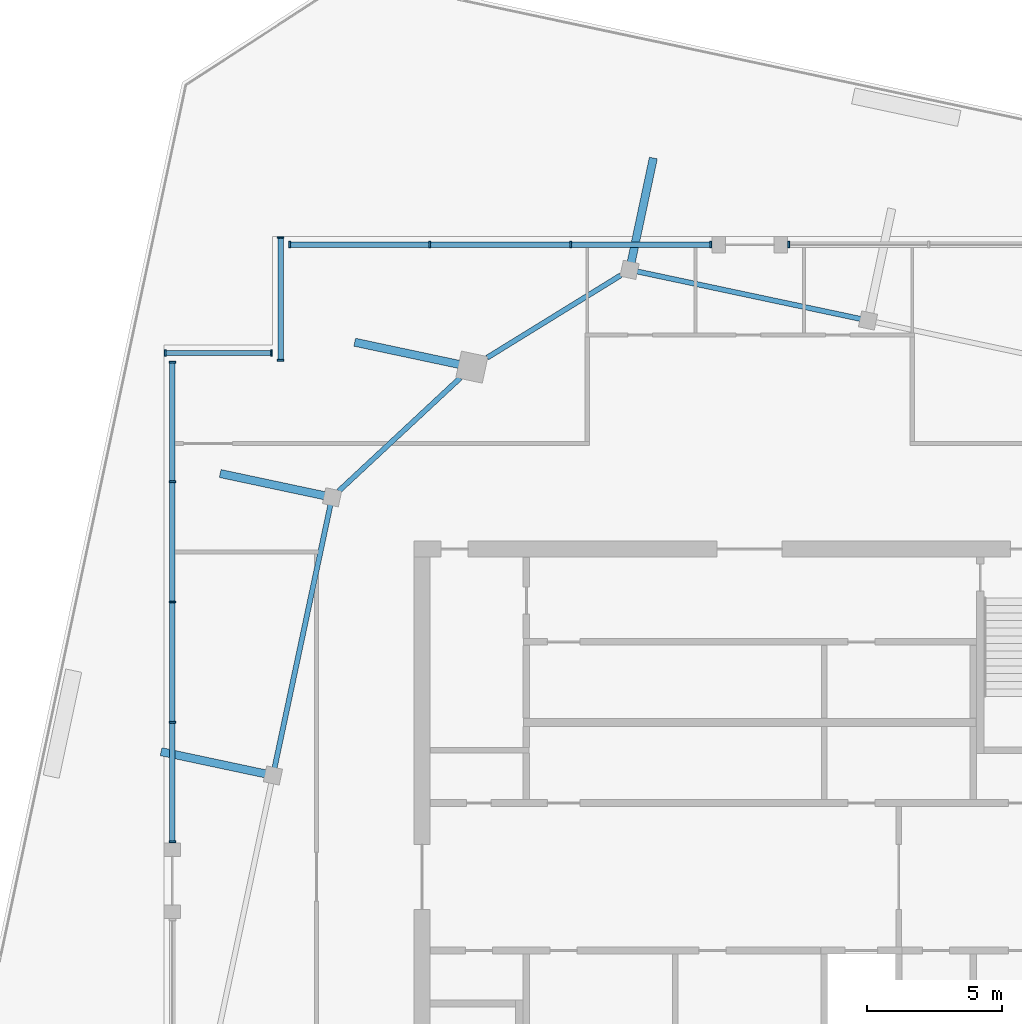
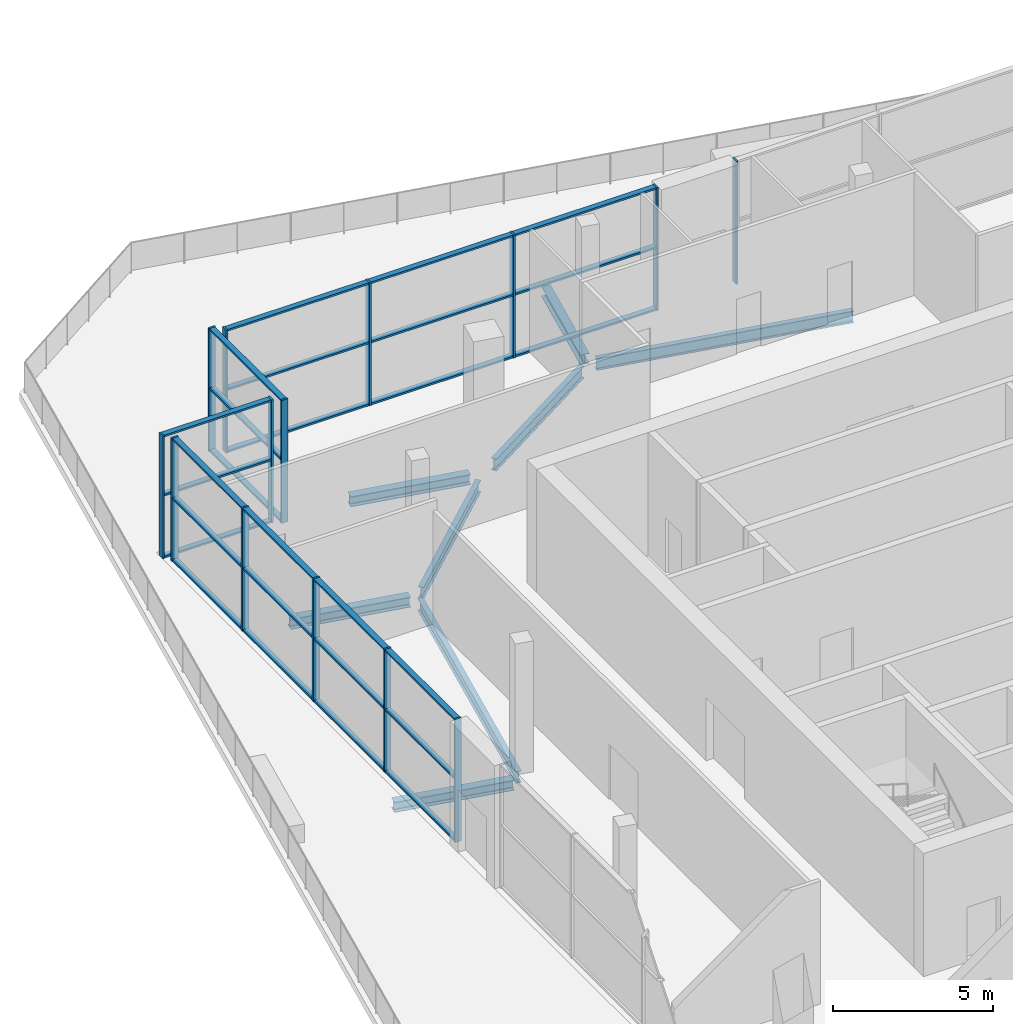
# One storey, part 4 of 14: 41 members, 8 beams, 5 elements without a shape of their own.
"""IFC4 building model written with IfcOpenShell, lengths in metres."""

from ifc_helpers import new_model, si_unit, direction, frame, origin, origin_2d, place, context, subcontext, project, spatial, rectangle, i_section, extrude, material, material_profile, profile_set, type_object, element, aggregate, save


model = new_model("IFC4")

# Units and contexts
model_context = context("Model", 3, precision=1e-05, world=origin(), true_north=direction((0.0, 1.0)))
body_context = subcontext(model_context, "Body", "Model", "MODEL_VIEW")
ifc_project = project(units=[si_unit("LENGTHUNIT", "METRE"), si_unit("AREAUNIT", "SQUARE_METRE"), si_unit("VOLUMEUNIT", "CUBIC_METRE"), si_unit("PLANEANGLEUNIT", "RADIAN"), si_unit("MASSUNIT", "GRAM", prefix="KILO")], contexts=[model_context])

# Site, building, storey
site_placement = place(None, origin())
site = spatial("IfcSite", under=ifc_project, at=site_placement, CompositionType="ELEMENT")
building_placement = place(site_placement, origin())
building = spatial("IfcBuilding", under=site, at=building_placement, Name="Dilmun Exchange Tower", CompositionType="ELEMENT")
storey_placement = place(building_placement, frame((0.0, 0.0, 368.10009765625)))
storey = spatial("IfcBuildingStorey", under=building, at=storey_placement, Name="Crown L86", CompositionType="ELEMENT", Elevation=368.10009765625)

# Curtain wall, member
ifc_material_1 = material(Name="Anodised aluminium and clear glass", Category="aluminium")
curtain_wall_type = type_object("IfcCurtainWallType", Name="Observation lounge glazing", PredefinedType="NOTDEFINED", material=ifc_material_1)
curtain_wall_1_placement = place(storey_placement, origin())
curtain_wall_1 = element("IfcCurtainWall", 1, at=curtain_wall_1_placement, inside=storey, type_object=curtain_wall_type, Name="Observation lounge glazing run OL3.1", PredefinedType="NOTDEFINED")
ifc_material_2 = material(Name="Anodised aluminium", Category="aluminium")
ifc_material_profile_1 = material_profile(ifc_material_2, rectangle(XDim=0.239990234375, YDim=0.070068359375, at=origin_2d()), Name="AL 70x240")
ifc_profile_set_1 = profile_set([ifc_material_profile_1], Name="Anodised aluminium")
member_type_1 = type_object("IfcMemberType", Name="Observation lounge glazing mullion 70 x 240", PredefinedType="MULLION", material=ifc_profile_set_1)
member_1_placement = place(storey_placement, frame((1.43505859375, 23.340087890625, 0.0), z_axis=(0.0, 0.0, 1.0), x_axis=(0.0, -1.0, 0.0)))
member_1 = element("IfcMember", 2, at=member_1_placement, type_object=member_type_1, Name="OL3.1 mullion 4", PredefinedType="MULLION", context=body_context, shape_type="SweptSolid", body=[
    extrude(rectangle(XDim=0.239990234375, YDim=0.070068359375, at=origin_2d()), origin(), (0.0, 0.0, 1.0), 4.699951171875),
])
aggregate(curtain_wall_1, [member_1])

# Curtain wall, members
curtain_wall_2_placement = place(storey_placement, origin())
curtain_wall_2 = element("IfcCurtainWall", 3, at=curtain_wall_2_placement, inside=storey, type_object=curtain_wall_type, Name="Observation lounge glazing run OL3.E", PredefinedType="NOTDEFINED")
member_2_placement = place(storey_placement, frame((-1.43505859375, 23.340087890625, 0.0), z_axis=(0.0, 0.0, 1.0), x_axis=(0.0, -1.0, 0.0)))
member_2 = element("IfcMember", 4, at=member_2_placement, type_object=member_type_1, Name="OL3.E mullion 1", PredefinedType="MULLION", context=body_context, shape_type="SweptSolid", body=[
    extrude(rectangle(XDim=0.239990234375, YDim=0.070068359375, at=origin_2d()), origin(), (0.0, 0.0, 1.0), 4.699951171875),
])
member_3_placement = place(storey_placement, frame((-6.60791015625, 23.340087890625, 0.0), z_axis=(0.0, 0.0, 1.0), x_axis=(0.0, -1.0, 0.0)))
member_3 = element("IfcMember", 5, at=member_3_placement, type_object=member_type_1, Name="OL3.E mullion 2", PredefinedType="MULLION", context=body_context, shape_type="SweptSolid", body=[
    extrude(rectangle(XDim=0.239990234375, YDim=0.070068359375, at=origin_2d()), origin(), (0.0, 0.0, 1.0), 4.699951171875),
])
member_4_placement = place(storey_placement, frame((-11.815673828125, 23.340087890625, 0.0), z_axis=(0.0, 0.0, 1.0), x_axis=(0.0, -1.0, 0.0)))
member_4 = element("IfcMember", 6, at=member_4_placement, type_object=member_type_1, Name="OL3.E mullion 3", PredefinedType="MULLION", context=body_context, shape_type="SweptSolid", body=[
    extrude(rectangle(XDim=0.239990234375, YDim=0.070068359375, at=origin_2d()), origin(), (0.0, 0.0, 1.0), 4.699951171875),
])
member_5_placement = place(storey_placement, frame((-16.988525390625, 23.340087890625, 0.0), z_axis=(0.0, 0.0, 1.0), x_axis=(0.0, -1.0, 0.0)))
member_5 = element("IfcMember", 7, at=member_5_placement, type_object=member_type_1, Name="OL3.E mullion 4", PredefinedType="MULLION", context=body_context, shape_type="SweptSolid", body=[
    extrude(rectangle(XDim=0.239990234375, YDim=0.070068359375, at=origin_2d()), origin(), (0.0, 0.0, 1.0), 4.699951171875),
])

curtain_wall_3_placement = place(storey_placement, origin())
curtain_wall_3 = element("IfcCurtainWall", 8, at=curtain_wall_3_placement, inside=storey, type_object=curtain_wall_type, Name="Observation lounge glazing run OL4", PredefinedType="NOTDEFINED")
member_6_placement = place(storey_placement, frame((-17.323486328125, 23.605224609375, 0.0), z_axis=(0.0, 0.0, 1.0), x_axis=(1.0, 0.0, 0.0)))
member_6 = element("IfcMember", 9, at=member_6_placement, type_object=member_type_1, Name="OL4 mullion 1", PredefinedType="MULLION", context=body_context, shape_type="SweptSolid", body=[
    extrude(rectangle(XDim=0.239990234375, YDim=0.070068359375, at=origin_2d()), origin(), (0.0, 0.0, 1.0), 4.699951171875),
])
member_7_placement = place(storey_placement, frame((-17.323486328125, 19.0751953125, 0.0), z_axis=(0.0, 0.0, 1.0), x_axis=(1.0, 0.0, 0.0)))
member_7 = element("IfcMember", 10, at=member_7_placement, type_object=member_type_1, Name="OL4 mullion 2", PredefinedType="MULLION", context=body_context, shape_type="SweptSolid", body=[
    extrude(rectangle(XDim=0.239990234375, YDim=0.070068359375, at=origin_2d()), origin(), (0.0, 0.0, 1.0), 4.699951171875),
])

curtain_wall_4_placement = place(storey_placement, origin())
curtain_wall_4 = element("IfcCurtainWall", 11, at=curtain_wall_4_placement, inside=storey, type_object=curtain_wall_type, Name="Observation lounge glazing run OL5", PredefinedType="NOTDEFINED")
member_8_placement = place(storey_placement, frame((-17.658447265625, 19.340087890625, 0.0), z_axis=(0.0, 0.0, 1.0), x_axis=(0.0, -1.0, 0.0)))
member_8 = element("IfcMember", 12, at=member_8_placement, type_object=member_type_1, Name="OL5 mullion 1", PredefinedType="MULLION", context=body_context, shape_type="SweptSolid", body=[
    extrude(rectangle(XDim=0.239990234375, YDim=0.070068359375, at=origin_2d()), origin(), (0.0, 0.0, 1.0), 4.699951171875),
])
member_9_placement = place(storey_placement, frame((-21.58837890625, 19.340087890625, 0.0), z_axis=(0.0, 0.0, 1.0), x_axis=(0.0, -1.0, 0.0)))
member_9 = element("IfcMember", 13, at=member_9_placement, type_object=member_type_1, Name="OL5 mullion 2", PredefinedType="MULLION", context=body_context, shape_type="SweptSolid", body=[
    extrude(rectangle(XDim=0.239990234375, YDim=0.070068359375, at=origin_2d()), origin(), (0.0, 0.0, 1.0), 4.699951171875),
])

curtain_wall_5_placement = place(storey_placement, origin())
curtain_wall_5 = element("IfcCurtainWall", 14, at=curtain_wall_5_placement, inside=storey, type_object=curtain_wall_type, Name="Observation lounge glazing run OL6.1", PredefinedType="NOTDEFINED")
member_10_placement = place(storey_placement, frame((-21.323486328125, 19.005126953125, 0.0), z_axis=(0.0, 0.0, 1.0), x_axis=(1.0, 0.0, 0.0)))
member_10 = element("IfcMember", 15, at=member_10_placement, type_object=member_type_1, Name="OL6.1 mullion 1", PredefinedType="MULLION", context=body_context, shape_type="SweptSolid", body=[
    extrude(rectangle(XDim=0.239990234375, YDim=0.070068359375, at=origin_2d()), origin(), (0.0, 0.0, 1.0), 4.699951171875),
])
member_11_placement = place(storey_placement, frame((-21.323486328125, 14.593505859375, 0.0), z_axis=(0.0, 0.0, 1.0), x_axis=(1.0, 0.0, 0.0)))
member_11 = element("IfcMember", 16, at=member_11_placement, type_object=member_type_1, Name="OL6.1 mullion 2", PredefinedType="MULLION", context=body_context, shape_type="SweptSolid", body=[
    extrude(rectangle(XDim=0.239990234375, YDim=0.070068359375, at=origin_2d()), origin(), (0.0, 0.0, 1.0), 4.699951171875),
])
member_12_placement = place(storey_placement, frame((-21.323486328125, 10.146484375, 0.0), z_axis=(0.0, 0.0, 1.0), x_axis=(1.0, 0.0, 0.0)))
member_12 = element("IfcMember", 17, at=member_12_placement, type_object=member_type_1, Name="OL6.1 mullion 3", PredefinedType="MULLION", context=body_context, shape_type="SweptSolid", body=[
    extrude(rectangle(XDim=0.239990234375, YDim=0.070068359375, at=origin_2d()), origin(), (0.0, 0.0, 1.0), 4.699951171875),
])
member_13_placement = place(storey_placement, frame((-21.323486328125, 5.69970703125, 0.0), z_axis=(0.0, 0.0, 1.0), x_axis=(1.0, 0.0, 0.0)))
member_13 = element("IfcMember", 18, at=member_13_placement, type_object=member_type_1, Name="OL6.1 mullion 4", PredefinedType="MULLION", context=body_context, shape_type="SweptSolid", body=[
    extrude(rectangle(XDim=0.239990234375, YDim=0.070068359375, at=origin_2d()), origin(), (0.0, 0.0, 1.0), 4.699951171875),
])
member_14_placement = place(storey_placement, frame((-21.323486328125, 1.2880859375, 0.0), z_axis=(0.0, 0.0, 1.0), x_axis=(1.0, 0.0, 0.0)))
member_14 = element("IfcMember", 19, at=member_14_placement, type_object=member_type_1, Name="OL6.1 mullion 5", PredefinedType="MULLION", context=body_context, shape_type="SweptSolid", body=[
    extrude(rectangle(XDim=0.239990234375, YDim=0.070068359375, at=origin_2d()), origin(), (0.0, 0.0, 1.0), 4.699951171875),
])

# Member
ifc_material_profile_2 = material_profile(ifc_material_2, rectangle(XDim=0.199951171875, YDim=0.070068359375, at=origin_2d()), Name="AL 70x200")
ifc_profile_set_2 = profile_set([ifc_material_profile_2], Name="Anodised aluminium")
member_type_2 = type_object("IfcMemberType", Name="Observation lounge glazing transom 70 x 200", PredefinedType="USERDEFINED", material=ifc_profile_set_2)
member_15_placement = place(storey_placement, frame((-1.469970703125, 23.340087890625, 0.034912109375), z_axis=(-1.0, 0.0, 0.0), x_axis=(0.0, -1.0, 0.0)))
member_15 = element("IfcMember", 20, at=member_15_placement, type_object=member_type_2, Name="OL3.E transom 1.1", ObjectType="TRANSOM", PredefinedType="USERDEFINED", context=body_context, shape_type="SweptSolid", body=[
    extrude(rectangle(XDim=0.199951171875, YDim=0.070068359375, at=origin_2d()), origin(), (0.0, 0.0, 1.0), 5.102783203125),
])

member_16_placement = place(storey_placement, frame((-1.469970703125, 23.340087890625, 2.39990234375), z_axis=(-1.0, 0.0, 0.0), x_axis=(0.0, -1.0, 0.0)))
member_16 = element("IfcMember", 21, at=member_16_placement, type_object=member_type_2, Name="OL3.E transom 1.2", ObjectType="TRANSOM", PredefinedType="USERDEFINED", context=body_context, shape_type="SweptSolid", body=[
    extrude(rectangle(XDim=0.199951171875, YDim=0.070068359375, at=origin_2d()), origin(), (0.0, 0.0, 1.0), 5.102783203125),
])

member_17_placement = place(storey_placement, frame((-1.469970703125, 23.340087890625, 4.664794921875), z_axis=(-1.0, 0.0, 0.0), x_axis=(0.0, -1.0, 0.0)))
member_17 = element("IfcMember", 22, at=member_17_placement, type_object=member_type_2, Name="OL3.E transom 1.3", ObjectType="TRANSOM", PredefinedType="USERDEFINED", context=body_context, shape_type="SweptSolid", body=[
    extrude(rectangle(XDim=0.199951171875, YDim=0.070068359375, at=origin_2d()), origin(), (0.0, 0.0, 1.0), 5.102783203125),
])

member_18_placement = place(storey_placement, frame((-6.642822265625, 23.340087890625, 0.034912109375), z_axis=(-1.0, 0.0, 0.0), x_axis=(0.0, -1.0, 0.0)))
member_18 = element("IfcMember", 23, at=member_18_placement, type_object=member_type_2, Name="OL3.E transom 2.1", ObjectType="TRANSOM", PredefinedType="USERDEFINED", context=body_context, shape_type="SweptSolid", body=[
    extrude(rectangle(XDim=0.199951171875, YDim=0.070068359375, at=origin_2d()), origin(), (0.0, 0.0, 1.0), 5.137939453125),
])

member_19_placement = place(storey_placement, frame((-6.642822265625, 23.340087890625, 2.39990234375), z_axis=(-1.0, 0.0, 0.0), x_axis=(0.0, -1.0, 0.0)))
member_19 = element("IfcMember", 24, at=member_19_placement, type_object=member_type_2, Name="OL3.E transom 2.2", ObjectType="TRANSOM", PredefinedType="USERDEFINED", context=body_context, shape_type="SweptSolid", body=[
    extrude(rectangle(XDim=0.199951171875, YDim=0.070068359375, at=origin_2d()), origin(), (0.0, 0.0, 1.0), 5.137939453125),
])

member_20_placement = place(storey_placement, frame((-6.642822265625, 23.340087890625, 4.664794921875), z_axis=(-1.0, 0.0, 0.0), x_axis=(0.0, -1.0, 0.0)))
member_20 = element("IfcMember", 25, at=member_20_placement, type_object=member_type_2, Name="OL3.E transom 2.3", ObjectType="TRANSOM", PredefinedType="USERDEFINED", context=body_context, shape_type="SweptSolid", body=[
    extrude(rectangle(XDim=0.199951171875, YDim=0.070068359375, at=origin_2d()), origin(), (0.0, 0.0, 1.0), 5.137939453125),
])

member_21_placement = place(storey_placement, frame((-11.8505859375, 23.340087890625, 0.034912109375), z_axis=(-1.0, 0.0, 0.0), x_axis=(0.0, -1.0, 0.0)))
member_21 = element("IfcMember", 26, at=member_21_placement, type_object=member_type_2, Name="OL3.E transom 3.1", ObjectType="TRANSOM", PredefinedType="USERDEFINED", context=body_context, shape_type="SweptSolid", body=[
    extrude(rectangle(XDim=0.199951171875, YDim=0.070068359375, at=origin_2d()), origin(), (0.0, 0.0, 1.0), 5.10302734375),
])

member_22_placement = place(storey_placement, frame((-11.8505859375, 23.340087890625, 2.39990234375), z_axis=(-1.0, 0.0, 0.0), x_axis=(0.0, -1.0, 0.0)))
member_22 = element("IfcMember", 27, at=member_22_placement, type_object=member_type_2, Name="OL3.E transom 3.2", ObjectType="TRANSOM", PredefinedType="USERDEFINED", context=body_context, shape_type="SweptSolid", body=[
    extrude(rectangle(XDim=0.199951171875, YDim=0.070068359375, at=origin_2d()), origin(), (0.0, 0.0, 1.0), 5.10302734375),
])

member_23_placement = place(storey_placement, frame((-11.8505859375, 23.340087890625, 4.664794921875), z_axis=(-1.0, 0.0, 0.0), x_axis=(0.0, -1.0, 0.0)))
member_23 = element("IfcMember", 28, at=member_23_placement, type_object=member_type_2, Name="OL3.E transom 3.3", ObjectType="TRANSOM", PredefinedType="USERDEFINED", context=body_context, shape_type="SweptSolid", body=[
    extrude(rectangle(XDim=0.199951171875, YDim=0.070068359375, at=origin_2d()), origin(), (0.0, 0.0, 1.0), 5.10302734375),
])

aggregate(curtain_wall_2, [member_2, member_3, member_4, member_5, member_15, member_16, member_17, member_18, member_19, member_20, member_21, member_22, member_23])

member_24_placement = place(storey_placement, frame((-17.323486328125, 23.5703125, 0.034912109375), z_axis=(0.0, -1.0, 0.0), x_axis=(1.0, 0.0, 0.0)))
member_24 = element("IfcMember", 29, at=member_24_placement, type_object=member_type_2, Name="OL4 transom 1.1", ObjectType="TRANSOM", PredefinedType="USERDEFINED", context=body_context, shape_type="SweptSolid", body=[
    extrude(rectangle(XDim=0.199951171875, YDim=0.070068359375, at=origin_2d()), origin(), (0.0, 0.0, 1.0), 4.460205078125),
])

member_25_placement = place(storey_placement, frame((-17.323486328125, 23.5703125, 2.39990234375), z_axis=(0.0, -1.0, 0.0), x_axis=(1.0, 0.0, 0.0)))
member_25 = element("IfcMember", 30, at=member_25_placement, type_object=member_type_2, Name="OL4 transom 1.2", ObjectType="TRANSOM", PredefinedType="USERDEFINED", context=body_context, shape_type="SweptSolid", body=[
    extrude(rectangle(XDim=0.199951171875, YDim=0.070068359375, at=origin_2d()), origin(), (0.0, 0.0, 1.0), 4.460205078125),
])

member_26_placement = place(storey_placement, frame((-17.323486328125, 23.5703125, 4.664794921875), z_axis=(0.0, -1.0, 0.0), x_axis=(1.0, 0.0, 0.0)))
member_26 = element("IfcMember", 31, at=member_26_placement, type_object=member_type_2, Name="OL4 transom 1.3", ObjectType="TRANSOM", PredefinedType="USERDEFINED", context=body_context, shape_type="SweptSolid", body=[
    extrude(rectangle(XDim=0.199951171875, YDim=0.070068359375, at=origin_2d()), origin(), (0.0, 0.0, 1.0), 4.460205078125),
])

aggregate(curtain_wall_3, [member_6, member_7, member_24, member_25, member_26])

member_27_placement = place(storey_placement, frame((-17.693603515625, 19.340087890625, 0.034912109375), z_axis=(-1.0, 0.0, 0.0), x_axis=(0.0, -1.0, 0.0)))
member_27 = element("IfcMember", 32, at=member_27_placement, type_object=member_type_2, Name="OL5 transom 1.1", ObjectType="TRANSOM", PredefinedType="USERDEFINED", context=body_context, shape_type="SweptSolid", body=[
    extrude(rectangle(XDim=0.199951171875, YDim=0.070068359375, at=origin_2d()), origin(), (0.0, 0.0, 1.0), 3.85986328125),
])

member_28_placement = place(storey_placement, frame((-17.693603515625, 19.340087890625, 2.39990234375), z_axis=(-1.0, 0.0, 0.0), x_axis=(0.0, -1.0, 0.0)))
member_28 = element("IfcMember", 33, at=member_28_placement, type_object=member_type_2, Name="OL5 transom 1.2", ObjectType="TRANSOM", PredefinedType="USERDEFINED", context=body_context, shape_type="SweptSolid", body=[
    extrude(rectangle(XDim=0.199951171875, YDim=0.070068359375, at=origin_2d()), origin(), (0.0, 0.0, 1.0), 3.85986328125),
])

member_29_placement = place(storey_placement, frame((-17.693603515625, 19.340087890625, 4.664794921875), z_axis=(-1.0, 0.0, 0.0), x_axis=(0.0, -1.0, 0.0)))
member_29 = element("IfcMember", 34, at=member_29_placement, type_object=member_type_2, Name="OL5 transom 1.3", ObjectType="TRANSOM", PredefinedType="USERDEFINED", context=body_context, shape_type="SweptSolid", body=[
    extrude(rectangle(XDim=0.199951171875, YDim=0.070068359375, at=origin_2d()), origin(), (0.0, 0.0, 1.0), 3.85986328125),
])

aggregate(curtain_wall_4, [member_8, member_9, member_27, member_28, member_29])

member_30_placement = place(storey_placement, frame((-21.323486328125, 18.97021484375, 0.034912109375), z_axis=(0.0, -1.0, 0.0), x_axis=(1.0, 0.0, 0.0)))
member_30 = element("IfcMember", 35, at=member_30_placement, type_object=member_type_2, Name="OL6.1 transom 1.1", ObjectType="TRANSOM", PredefinedType="USERDEFINED", context=body_context, shape_type="SweptSolid", body=[
    extrude(rectangle(XDim=0.199951171875, YDim=0.070068359375, at=origin_2d()), origin(), (0.0, 0.0, 1.0), 4.341796875),
])

member_31_placement = place(storey_placement, frame((-21.323486328125, 18.97021484375, 2.39990234375), z_axis=(0.0, -1.0, 0.0), x_axis=(1.0, 0.0, 0.0)))
member_31 = element("IfcMember", 36, at=member_31_placement, type_object=member_type_2, Name="OL6.1 transom 1.2", ObjectType="TRANSOM", PredefinedType="USERDEFINED", context=body_context, shape_type="SweptSolid", body=[
    extrude(rectangle(XDim=0.199951171875, YDim=0.070068359375, at=origin_2d()), origin(), (0.0, 0.0, 1.0), 4.341796875),
])

member_32_placement = place(storey_placement, frame((-21.323486328125, 18.97021484375, 4.664794921875), z_axis=(0.0, -1.0, 0.0), x_axis=(1.0, 0.0, 0.0)))
member_32 = element("IfcMember", 37, at=member_32_placement, type_object=member_type_2, Name="OL6.1 transom 1.3", ObjectType="TRANSOM", PredefinedType="USERDEFINED", context=body_context, shape_type="SweptSolid", body=[
    extrude(rectangle(XDim=0.199951171875, YDim=0.070068359375, at=origin_2d()), origin(), (0.0, 0.0, 1.0), 4.341796875),
])

member_33_placement = place(storey_placement, frame((-21.323486328125, 14.558349609375, 0.034912109375), z_axis=(0.0, -1.0, 0.0), x_axis=(1.0, 0.0, 0.0)))
member_33 = element("IfcMember", 38, at=member_33_placement, type_object=member_type_2, Name="OL6.1 transom 2.1", ObjectType="TRANSOM", PredefinedType="USERDEFINED", context=body_context, shape_type="SweptSolid", body=[
    extrude(rectangle(XDim=0.199951171875, YDim=0.070068359375, at=origin_2d()), origin(), (0.0, 0.0, 1.0), 4.376708984375),
])

member_34_placement = place(storey_placement, frame((-21.323486328125, 14.558349609375, 2.39990234375), z_axis=(0.0, -1.0, 0.0), x_axis=(1.0, 0.0, 0.0)))
member_34 = element("IfcMember", 39, at=member_34_placement, type_object=member_type_2, Name="OL6.1 transom 2.2", ObjectType="TRANSOM", PredefinedType="USERDEFINED", context=body_context, shape_type="SweptSolid", body=[
    extrude(rectangle(XDim=0.199951171875, YDim=0.070068359375, at=origin_2d()), origin(), (0.0, 0.0, 1.0), 4.376708984375),
])

member_35_placement = place(storey_placement, frame((-21.323486328125, 14.558349609375, 4.664794921875), z_axis=(0.0, -1.0, 0.0), x_axis=(1.0, 0.0, 0.0)))
member_35 = element("IfcMember", 40, at=member_35_placement, type_object=member_type_2, Name="OL6.1 transom 2.3", ObjectType="TRANSOM", PredefinedType="USERDEFINED", context=body_context, shape_type="SweptSolid", body=[
    extrude(rectangle(XDim=0.199951171875, YDim=0.070068359375, at=origin_2d()), origin(), (0.0, 0.0, 1.0), 4.376708984375),
])

member_36_placement = place(storey_placement, frame((-21.323486328125, 10.111572265625, 0.034912109375), z_axis=(0.0, -1.0, 0.0), x_axis=(1.0, 0.0, 0.0)))
member_36 = element("IfcMember", 41, at=member_36_placement, type_object=member_type_2, Name="OL6.1 transom 3.1", ObjectType="TRANSOM", PredefinedType="USERDEFINED", context=body_context, shape_type="SweptSolid", body=[
    extrude(rectangle(XDim=0.199951171875, YDim=0.070068359375, at=origin_2d()), origin(), (0.0, 0.0, 1.0), 4.376708984375),
])

member_37_placement = place(storey_placement, frame((-21.323486328125, 10.111572265625, 2.39990234375), z_axis=(0.0, -1.0, 0.0), x_axis=(1.0, 0.0, 0.0)))
member_37 = element("IfcMember", 42, at=member_37_placement, type_object=member_type_2, Name="OL6.1 transom 3.2", ObjectType="TRANSOM", PredefinedType="USERDEFINED", context=body_context, shape_type="SweptSolid", body=[
    extrude(rectangle(XDim=0.199951171875, YDim=0.070068359375, at=origin_2d()), origin(), (0.0, 0.0, 1.0), 4.376708984375),
])

member_38_placement = place(storey_placement, frame((-21.323486328125, 10.111572265625, 4.664794921875), z_axis=(0.0, -1.0, 0.0), x_axis=(1.0, 0.0, 0.0)))
member_38 = element("IfcMember", 43, at=member_38_placement, type_object=member_type_2, Name="OL6.1 transom 3.3", ObjectType="TRANSOM", PredefinedType="USERDEFINED", context=body_context, shape_type="SweptSolid", body=[
    extrude(rectangle(XDim=0.199951171875, YDim=0.070068359375, at=origin_2d()), origin(), (0.0, 0.0, 1.0), 4.376708984375),
])

member_39_placement = place(storey_placement, frame((-21.323486328125, 5.664794921875, 0.034912109375), z_axis=(0.0, -1.0, 0.0), x_axis=(1.0, 0.0, 0.0)))
member_39 = element("IfcMember", 44, at=member_39_placement, type_object=member_type_2, Name="OL6.1 transom 4.1", ObjectType="TRANSOM", PredefinedType="USERDEFINED", context=body_context, shape_type="SweptSolid", body=[
    extrude(rectangle(XDim=0.199951171875, YDim=0.070068359375, at=origin_2d()), origin(), (0.0, 0.0, 1.0), 4.341796875),
])

member_40_placement = place(storey_placement, frame((-21.323486328125, 5.664794921875, 2.39990234375), z_axis=(0.0, -1.0, 0.0), x_axis=(1.0, 0.0, 0.0)))
member_40 = element("IfcMember", 45, at=member_40_placement, type_object=member_type_2, Name="OL6.1 transom 4.2", ObjectType="TRANSOM", PredefinedType="USERDEFINED", context=body_context, shape_type="SweptSolid", body=[
    extrude(rectangle(XDim=0.199951171875, YDim=0.070068359375, at=origin_2d()), origin(), (0.0, 0.0, 1.0), 4.341796875),
])

member_41_placement = place(storey_placement, frame((-21.323486328125, 5.664794921875, 4.664794921875), z_axis=(0.0, -1.0, 0.0), x_axis=(1.0, 0.0, 0.0)))
member_41 = element("IfcMember", 46, at=member_41_placement, type_object=member_type_2, Name="OL6.1 transom 4.3", ObjectType="TRANSOM", PredefinedType="USERDEFINED", context=body_context, shape_type="SweptSolid", body=[
    extrude(rectangle(XDim=0.199951171875, YDim=0.070068359375, at=origin_2d()), origin(), (0.0, 0.0, 1.0), 4.341796875),
])

aggregate(curtain_wall_5, [member_10, member_11, member_12, member_13, member_14, member_30, member_31, member_32, member_33, member_34, member_35, member_36, member_37, member_38, member_39, member_40, member_41])

# Beams
ifc_material_3 = material(Name="Steel S355", Category="steel")
ifc_material_profile_3 = material_profile(ifc_material_3, i_section(OverallWidth=0.300048828125, OverallDepth=0.389892578125, WebThickness=0.010986328125, FlangeThickness=0.01904296875, FilletRadius=0.027099609375, at=origin_2d()), Name="HEA 400")
ifc_profile_set_3 = profile_set([ifc_material_profile_3], Name="Steel S355")
beam_type_1 = type_object("IfcBeamType", Name="crown cantilever beam HEA 400", PredefinedType="BEAM", material=ifc_profile_set_3)
for number, where, z_axis, x_axis, name in (
    (47, (-10.7236328125, 18.918212890625, -0.4951171875), (-0.978146596989, 0.207916413008, 0.0), (-0.207916413008, -0.978146596989, 0.0), "Crown cantilever beam 1"),
    (48, (-15.69091796875, 14.06982421875, -0.4951171875), (-0.978146596989, 0.207916413008, 0.0), (-0.207916413008, -0.978146596989, 0.0), "Crown cantilever beam 2"),
    (49, (-17.8740234375, 3.798828125, -0.4951171875), (-0.978146596989, 0.207916413008, 0.0), (-0.207916413008, -0.978146596989, 0.0), "Crown cantilever beam 3"),
):
    element("IfcBeam", number, at=place(storey_placement, frame(where, z_axis=z_axis, x_axis=x_axis)), inside=storey, type_object=beam_type_1, Name=name, PredefinedType="BEAM", context=body_context, shape_type="SweptSolid", body=[
        extrude(i_section(OverallWidth=0.300048828125, OverallDepth=0.389892578125, WebThickness=0.010986328125, FlangeThickness=0.01904296875, FilletRadius=0.027099609375, at=origin_2d()), origin(), (0.0, 0.0, 1.0), 3.9501953125),
    ])
beam_1_placement = place(storey_placement, frame((-4.380126953125, 22.678955078125, -0.4951171875), z_axis=(0.207857277402, 0.978159165081, 0.0), x_axis=(-0.978159165081, 0.207857277402, 0.0)))
element("IfcBeam", 50, at=beam_1_placement, inside=storey, type_object=beam_type_1, Name="Crown cantilever beam 16", PredefinedType="BEAM", context=body_context, shape_type="SweptSolid", body=[
    extrude(i_section(OverallWidth=0.300048828125, OverallDepth=0.389892578125, WebThickness=0.010986328125, FlangeThickness=0.01904296875, FilletRadius=0.027099609375, at=origin_2d()), origin(), (0.0, 0.0, 1.0), 3.949951171875),
])
ifc_material_profile_4 = material_profile(ifc_material_3, i_section(OverallWidth=0.18994140625, OverallDepth=0.449951171875, WebThickness=0.009521484375, FlangeThickness=0.0146484375, FilletRadius=0.02099609375, at=origin_2d()), Name="IPE 450")
ifc_profile_set_4 = profile_set([ifc_material_profile_4], Name="Steel S355")
beam_type_2 = type_object("IfcBeamType", Name="crown ring beam IPE 450", PredefinedType="BEAM", material=ifc_profile_set_4)
beam_2_placement = place(storey_placement, frame((-10.688232421875, 18.422119140625, -0.525146484375), z_axis=(-0.731902192128, -0.681409701398, 0.0), x_axis=(0.681409701398, -0.731902192128, 0.0)))
element("IfcBeam", 51, at=beam_2_placement, inside=storey, type_object=beam_type_2, Name="Crown ring beam 1", PredefinedType="BEAM", context=body_context, shape_type="SweptSolid", body=[
    extrude(i_section(OverallWidth=0.18994140625, OverallDepth=0.449951171875, WebThickness=0.009521484375, FlangeThickness=0.0146484375, FilletRadius=0.02099609375, at=origin_2d()), origin(), (0.0, 0.0, 1.0), 6.131103515625),
])
beam_3_placement = place(storey_placement, frame((-15.480712890625, 13.74609375, -0.525146484375), z_axis=(-0.207902460752, -0.978149562599, 0.0), x_axis=(0.978149562599, -0.207902460752, 0.0)))
element("IfcBeam", 52, at=beam_3_placement, inside=storey, type_object=beam_type_2, Name="Crown ring beam 2", PredefinedType="BEAM", context=body_context, shape_type="SweptSolid", body=[
    extrude(i_section(OverallWidth=0.18994140625, OverallDepth=0.449951171875, WebThickness=0.009521484375, FlangeThickness=0.0146484375, FilletRadius=0.02099609375, at=origin_2d()), origin(), (0.0, 0.0, 1.0), 9.95458984375),
])
beam_4_placement = place(storey_placement, frame((4.09912109375, 20.597900390625, -0.525146484375), z_axis=(-0.978155180899, 0.207876025749, 0.0), x_axis=(-0.207876025749, -0.978155180899, 0.0)))
element("IfcBeam", 53, at=beam_4_placement, inside=storey, type_object=beam_type_2, Name="Crown ring beam 15", PredefinedType="BEAM", context=body_context, shape_type="SweptSolid", body=[
    extrude(i_section(OverallWidth=0.18994140625, OverallDepth=0.449951171875, WebThickness=0.009521484375, FlangeThickness=0.0146484375, FilletRadius=0.02099609375, at=origin_2d()), origin(), (0.0, 0.0, 1.0), 8.45361328125),
])
beam_5_placement = place(storey_placement, frame((-4.76708984375, 22.20849609375, -0.525146484375), z_axis=(-0.851138218853, -0.524941646669, 0.0), x_axis=(0.524941646669, -0.851138218853, 0.0)))
element("IfcBeam", 54, at=beam_5_placement, inside=storey, type_object=beam_type_2, Name="Crown ring beam 16", PredefinedType="BEAM", context=body_context, shape_type="SweptSolid", body=[
    extrude(i_section(OverallWidth=0.18994140625, OverallDepth=0.449951171875, WebThickness=0.009521484375, FlangeThickness=0.0146484375, FilletRadius=0.02099609375, at=origin_2d()), origin(), (0.0, 0.0, 1.0), 5.790771484375),
])

save(model, "model.ifc")
